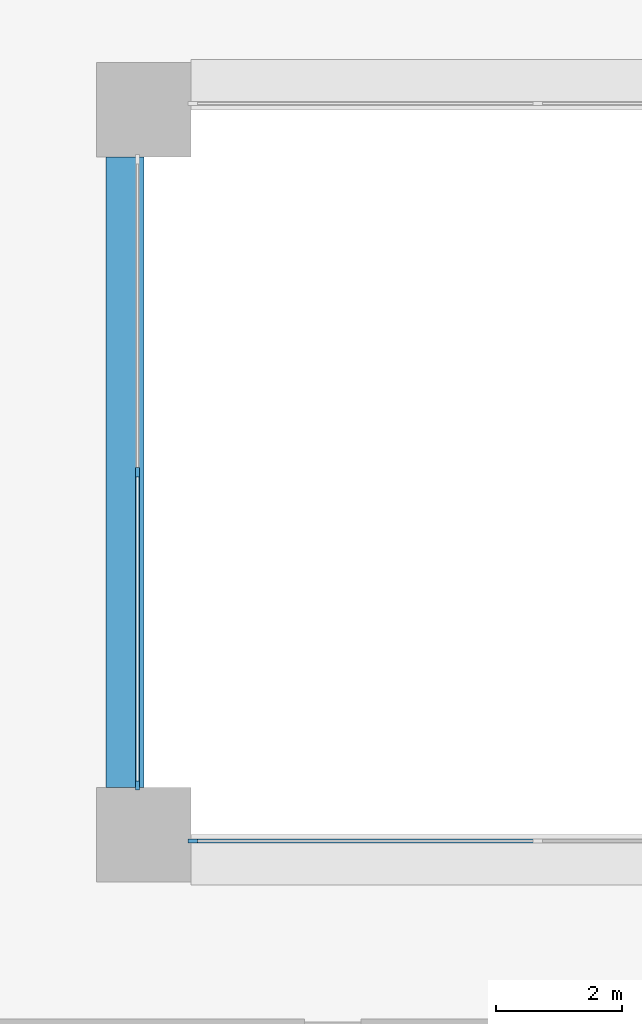
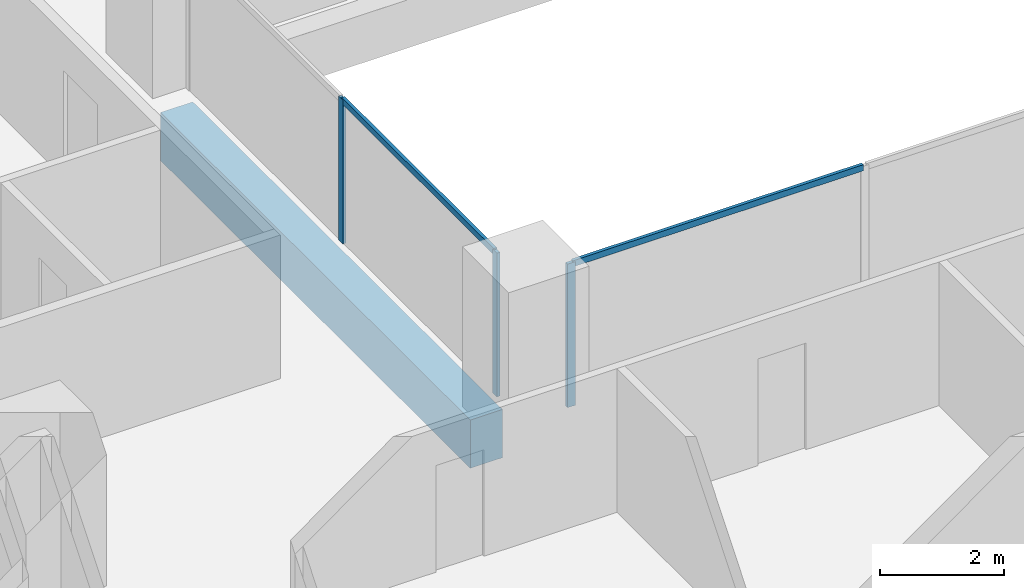
# One storey, part 2 of 19: 5 members, 1 beam, 2 elements without a shape of their own.
"""IFC4 building model written with IfcOpenShell, lengths in metres."""

from ifc_helpers import new_model, si_unit, direction, frame, origin, origin_2d, place, context, subcontext, project, spatial, rectangle, extrude, material, layer, layer_set, material_profile, profile_set, type_object, element, aggregate, save


model = new_model("IFC4")

# Units and contexts
model_context = context("Model", 3, precision=1e-05, world=origin(), true_north=direction((0.0, 1.0)))
body_context = subcontext(model_context, "Body", "Model", "MODEL_VIEW")
ifc_project = project(units=[si_unit("LENGTHUNIT", "METRE"), si_unit("AREAUNIT", "SQUARE_METRE"), si_unit("VOLUMEUNIT", "CUBIC_METRE"), si_unit("PLANEANGLEUNIT", "RADIAN"), si_unit("MASSUNIT", "GRAM", prefix="KILO")], contexts=[model_context])

# Site, building, storey
site_placement = place(None, origin())
site = spatial("IfcSite", under=ifc_project, at=site_placement, CompositionType="ELEMENT")
building_placement = place(site_placement, origin())
building = spatial("IfcBuilding", under=site, at=building_placement, Name="Brigalow Station Residences", CompositionType="ELEMENT")
storey_placement = place(building_placement, frame((0.0, 0.0, 19.5)))
storey = spatial("IfcBuildingStorey", under=building, at=storey_placement, Name="L04", CompositionType="ELEMENT", Elevation=19.5)

# Beam
ifc_material_1 = material(Name="Concrete C65", Category="concrete")
ifc_material_profile_1 = material_profile(ifc_material_1, rectangle(XDim=0.60009765625, YDim=0.949951171875, at=origin_2d()), Name="RC600x950")
ifc_profile_set_1 = profile_set([ifc_material_profile_1], Name="Concrete C65")
beam_type = type_object("IfcBeamType", Name="ATRIUM EDGE GIRDER 600x950 C65", PredefinedType="BEAM", material=ifc_profile_set_1)
beam_placement = place(storey_placement, frame((26.699951171875, 24.75, -0.794921875), z_axis=(0.0, 1.0, 0.0), x_axis=(-1.0, 0.0, 0.0)))
element("IfcBeam", 1, at=beam_placement, inside=storey, type_object=beam_type, Name="ATRIUM EDGE GIRDER 3 L04", PredefinedType="BEAM", context=body_context, shape_type="SweptSolid", body=[
    extrude(rectangle(XDim=0.60009765625, YDim=0.949951171875, at=origin_2d()), origin(), (0.0, 0.0, 1.0), 10.0),
])

# Curtain wall, member
ifc_material_2 = material(Name="Aluminium", Category="aluminium")
ifc_layer = layer(ifc_material_2, 0.14990234375)
ifc_layer_set = layer_set([ifc_layer], Name="ATRIUM FIRE-RATED GLAZING CURTAIN WALL")
curtain_wall_type = type_object("IfcCurtainWallType", Name="ATRIUM FIRE-RATED GLAZING CURTAIN WALL", PredefinedType="NOTDEFINED", material=ifc_layer_set)
curtain_wall_1_placement = place(storey_placement, origin())
curtain_wall_1 = element("IfcCurtainWall", 2, at=curtain_wall_1_placement, inside=storey, type_object=curtain_wall_type, Name="L04/cw/atrium-S", PredefinedType="NOTDEFINED")
ifc_material_3 = material(Name="Aluminium", Category="aluminium")
ifc_material_profile_2 = material_profile(ifc_material_3, rectangle(XDim=0.06005859375, YDim=0.14990234375, at=origin_2d()), Name="ATRIUM FIRE-RATED GLAZING MULLION 60x150")
ifc_profile_set_2 = profile_set([ifc_material_profile_2], Name="Aluminium")
member_type_1 = type_object("IfcMemberType", Name="ATRIUM FIRE-RATED GLAZING MULLION 60x150", PredefinedType="MULLION", material=ifc_profile_set_2)
member_1_placement = place(storey_placement, frame((27.780029296875, 23.89990234375, 0.0), z_axis=(0.0, 0.0, 1.0), x_axis=(0.0, 1.0, 0.0)))
member_1 = element("IfcMember", 3, at=member_1_placement, type_object=member_type_1, Name="L04/cw/atrium-S/M00", PredefinedType="MULLION", context=body_context, shape_type="SweptSolid", body=[
    extrude(rectangle(XDim=0.06005859375, YDim=0.14990234375, at=origin_2d()), origin(), (0.0, 0.0, 1.0), 2.830078125),
])

# Curtain wall, members
curtain_wall_2_placement = place(storey_placement, origin())
curtain_wall_2 = element("IfcCurtainWall", 4, at=curtain_wall_2_placement, inside=storey, type_object=curtain_wall_type, Name="L04/cw/atrium-W", PredefinedType="NOTDEFINED")
member_2_placement = place(storey_placement, frame((26.89990234375, 29.75, 0.0), z_axis=(0.0, 0.0, 1.0), x_axis=(1.0, 0.0, 0.0)))
member_2 = element("IfcMember", 5, at=member_2_placement, type_object=member_type_1, Name="L04/cw/atrium-W/M01", PredefinedType="MULLION", context=body_context, shape_type="SweptSolid", body=[
    extrude(rectangle(XDim=0.06005859375, YDim=0.14990234375, at=origin_2d()), origin(), (0.0, 0.0, 1.0), 2.830078125),
])
member_3_placement = place(storey_placement, frame((26.89990234375, 24.780029296875, 0.0), z_axis=(0.0, 0.0, 1.0), x_axis=(1.0, 0.0, 0.0)))
member_3 = element("IfcMember", 6, at=member_3_placement, type_object=member_type_1, Name="L04/cw/atrium-W/M02", PredefinedType="MULLION", context=body_context, shape_type="SweptSolid", body=[
    extrude(rectangle(XDim=0.06005859375, YDim=0.14990234375, at=origin_2d()), origin(), (0.0, 0.0, 1.0), 2.830078125),
])

# Member
ifc_material_4 = material(Name="Aluminium", Category="aluminium")
ifc_material_profile_3 = material_profile(ifc_material_4, rectangle(XDim=0.06005859375, YDim=0.1201171875, at=origin_2d()), Name="ATRIUM FIRE-RATED GLAZING TRANSOM 60x120")
ifc_profile_set_3 = profile_set([ifc_material_profile_3], Name="Aluminium")
member_type_2 = type_object("IfcMemberType", Name="ATRIUM FIRE-RATED GLAZING TRANSOM 60x120", PredefinedType="USERDEFINED", material=ifc_profile_set_3)
member_4_placement = place(storey_placement, frame((27.81005859375, 23.89990234375, 2.800048828125), z_axis=(1.0, 0.0, 0.0), x_axis=(0.0, 1.0, 0.0)))
member_4 = element("IfcMember", 7, at=member_4_placement, type_object=member_type_2, Name="L04/cw/atrium-S/T00-00", ObjectType="TRANSOM", PredefinedType="USERDEFINED", context=body_context, shape_type="SweptSolid", body=[
    extrude(rectangle(XDim=0.06005859375, YDim=0.1201171875, at=origin_2d()), origin(), (0.0, 0.0, 1.0), 5.409912109375),
])

aggregate(curtain_wall_1, [member_1, member_4])

member_5_placement = place(storey_placement, frame((26.89990234375, 29.719970703125, 2.800048828125), z_axis=(0.0, -1.0, 0.0), x_axis=(1.0, 0.0, 0.0)))
member_5 = element("IfcMember", 8, at=member_5_placement, type_object=member_type_2, Name="L04/cw/atrium-W/T01-00", ObjectType="TRANSOM", PredefinedType="USERDEFINED", context=body_context, shape_type="SweptSolid", body=[
    extrude(rectangle(XDim=0.06005859375, YDim=0.1201171875, at=origin_2d()), origin(), (0.0, 0.0, 1.0), 4.909912109375),
])

aggregate(curtain_wall_2, [member_2, member_3, member_5])

save(model, "model.ifc")
